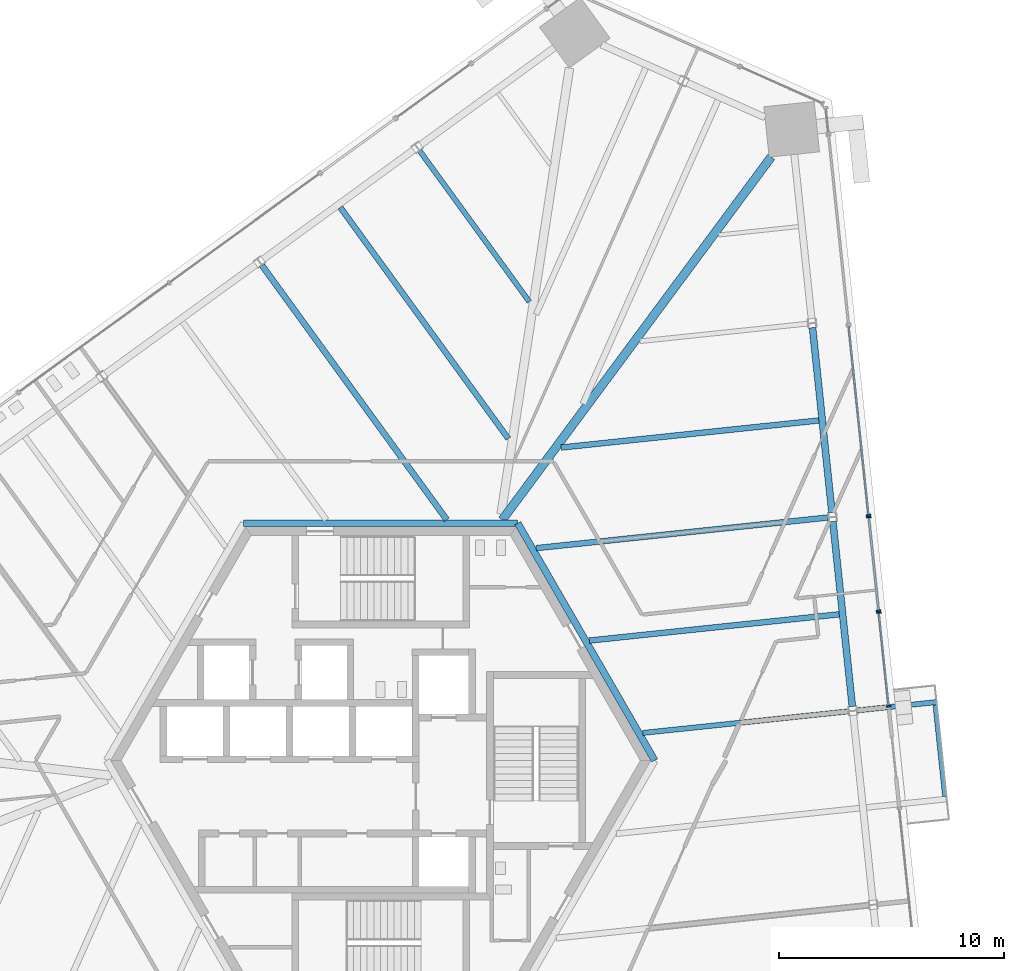
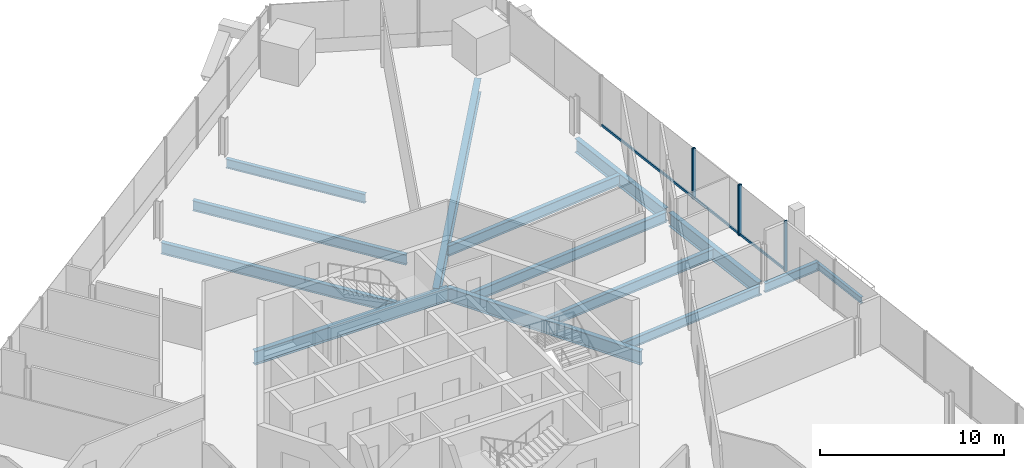
# One storey, part 8 of 25: 14 beams, 8 members, 3 elements without a shape of their own.
"""IFC4 building model written with IfcOpenShell, lengths in metres."""

from ifc_helpers import new_model, si_unit, direction, frame, origin, origin_2d, place, context, subcontext, project, spatial, rectangle, i_section, extrude, source, transform, mapped, material, material_profile, profile_set, type_object, element, aggregate, save


model = new_model("IFC4")

# Units and contexts
model_context = context("Model", 3, precision=1e-05, world=origin(), true_north=direction((0.0, 1.0)))
body_context = subcontext(model_context, "Body", "Model", "MODEL_VIEW")
ifc_project = project(units=[si_unit("LENGTHUNIT", "METRE"), si_unit("AREAUNIT", "SQUARE_METRE"), si_unit("VOLUMEUNIT", "CUBIC_METRE"), si_unit("PLANEANGLEUNIT", "RADIAN"), si_unit("MASSUNIT", "GRAM", prefix="KILO")], contexts=[model_context])

# Site, building, storey
site_placement = place(None, origin())
site = spatial("IfcSite", under=ifc_project, at=site_placement, CompositionType="ELEMENT")
building_placement = place(site_placement, origin())
building = spatial("IfcBuilding", under=site, at=building_placement, Name="Triune Harvest Tower", CompositionType="ELEMENT")
storey_placement = place(building_placement, frame((0.0, 0.0, 90.89990234375)))
storey = spatial("IfcBuildingStorey", under=building, at=storey_placement, Name="L22", CompositionType="ELEMENT", Elevation=90.89990234375)

# Curtain wall, member
ifc_material_1 = material(Name="Aluminium bronze anodised", Category="aluminium")
curtain_wall_type_1 = type_object("IfcCurtainWallType", Name="CW-6 Balcony window wall", PredefinedType="NOTDEFINED", material=ifc_material_1)
curtain_wall_1_placement = place(storey_placement, origin())
curtain_wall_1 = element("IfcCurtainWall", 1, at=curtain_wall_1_placement, inside=storey, type_object=curtain_wall_type_1, Name="CW-6 B2-F1 L22 run 2")
ifc_material_2 = material(Name="Aluminium bronze anodised", Category="aluminium")
ifc_material_profile_1 = material_profile(ifc_material_2, rectangle(XDim=0.090087890625, YDim=0.14990234375, at=origin_2d()), Name="TR-6 transom 90 x 150")
ifc_profile_set_1 = profile_set([ifc_material_profile_1], Name="Aluminium bronze anodised")
member_type_1 = type_object("IfcMemberType", Name="TR-6 transom 90 x 150", PredefinedType="USERDEFINED", material=ifc_profile_set_1)
member_1_placement = place(storey_placement, frame((22.565673828125, 2.447265625, 0.0751953125), z_axis=(-0.104552041268, 0.994519416938, 0.0), x_axis=(-0.994519416938, -0.104552041268, 0.0)))
member_1 = element("IfcMember", 2, at=member_1_placement, type_object=member_type_1, Name="CW-6 transom B2-F1 2.1", ObjectType="TRANSOM", PredefinedType="USERDEFINED", context=body_context, shape_type="SweptSolid", body=[
    extrude(rectangle(XDim=0.090087890625, YDim=0.14990234375, at=origin_2d()), origin(), (0.0, 0.0, 1.0), 4.11669921875),
])

ifc_material_3 = material(Name="Aluminium bronze anodised", Category="aluminium")
curtain_wall_type_2 = type_object("IfcCurtainWallType", Name="CW-10 Balcony window wall with insulated spandrel infill", PredefinedType="NOTDEFINED", material=ifc_material_3)
curtain_wall_2_placement = place(storey_placement, origin())
curtain_wall_2 = element("IfcCurtainWall", 3, at=curtain_wall_2_placement, inside=storey, type_object=curtain_wall_type_2, Name="CW-10 B2-F1 L22 run 1002")
member_2_placement = place(storey_placement, frame((22.11962890625, 6.690673828125, 0.0751953125), z_axis=(-0.104545875311, 0.994520065135, 0.0), x_axis=(-0.994520065135, -0.104545875311, 0.0)))
member_2 = element("IfcMember", 4, at=member_2_placement, type_object=member_type_1, Name="CW-10 transom B2-F1 1002.1", ObjectType="TRANSOM", PredefinedType="USERDEFINED", context=body_context, shape_type="SweptSolid", body=[
    extrude(rectangle(XDim=0.090087890625, YDim=0.14990234375, at=origin_2d()), origin(), (0.0, 0.0, 1.0), 4.116943359375),
])

curtain_wall_3_placement = place(storey_placement, origin())
curtain_wall_3 = element("IfcCurtainWall", 5, at=curtain_wall_3_placement, inside=storey, type_object=curtain_wall_type_1, Name="CW-6 B2-F1 L22 run 2002")
member_3_placement = place(storey_placement, frame((21.673583984375, 10.934326171875, 0.0751953125), z_axis=(-0.104542292861, 0.994520441722, 0.0), x_axis=(-0.994520441722, -0.104542292861, 0.0)))
member_3 = element("IfcMember", 6, at=member_3_placement, type_object=member_type_1, Name="CW-6 transom B2-F1 2002.1", ObjectType="TRANSOM", PredefinedType="USERDEFINED", context=body_context, shape_type="SweptSolid", body=[
    extrude(rectangle(XDim=0.090087890625, YDim=0.14990234375, at=origin_2d()), origin(), (0.0, 0.0, 1.0), 8.3837890625),
])

# Beams
ifc_material_4 = material(Name="Steel ASTM A992 Gr 50", Category="steel")
ifc_material_profile_2 = material_profile(ifc_material_4, i_section(OverallWidth=0.3046875, OverallDepth=0.914306640625, WebThickness=0.0166015625, FlangeThickness=0.02587890625, at=origin_2d()), Name="W36x160")
ifc_profile_set_2 = profile_set([ifc_material_profile_2], Name="Steel ASTM A992 Gr 50")
beam_type_1 = type_object("IfcBeamType", Name="CG-1 Core ring girder W36x160", PredefinedType="BEAM", material=ifc_profile_set_2)
shared_shape_1 = source(origin(), body_context, "Body", "SweptSolid", [
    extrude(i_section(OverallWidth=0.3046875, OverallDepth=0.914306640625, WebThickness=0.0166015625, FlangeThickness=0.02587890625, at=origin_2d()), origin(), (0.0, 0.0, 1.0), 12.176025390625),
])
beam_1_placement = place(storey_placement, frame((12.176025390625, 0.0, -0.6171875), z_axis=(-0.5000099932, 0.866019634131, 0.0), x_axis=(-0.866019634131, -0.5000099932, 0.0)))
element("IfcBeam", 7, at=beam_1_placement, inside=storey, type_object=beam_type_1, Name="beam/L22/CG1", PredefinedType="BEAM", context=body_context, shape_type="MappedRepresentation", body=[
    mapped(shared_shape_1, transform((0.0, 0.0, 0.0), scale=1.0)),
])
shared_shape_2 = source(origin(), body_context, "Body", "SweptSolid", [
    extrude(i_section(OverallWidth=0.3046875, OverallDepth=0.914306640625, WebThickness=0.0166015625, FlangeThickness=0.02587890625, at=origin_2d()), origin(), (0.0, 0.0, 1.0), 12.17578125),
])
beam_2_placement = place(storey_placement, frame((6.087890625, 10.544677734375, -0.6171875), z_axis=(-1.0, 0.0, 0.0), x_axis=(0.0, -1.0, 0.0)))
element("IfcBeam", 8, at=beam_2_placement, inside=storey, type_object=beam_type_1, Name="beam/L22/CG2", PredefinedType="BEAM", context=body_context, shape_type="MappedRepresentation", body=[
    mapped(shared_shape_2, transform((0.0, 0.0, 0.0), scale=1.0)),
])
ifc_material_5 = material(Name="Steel ASTM A992 Gr 50", Category="steel")
ifc_material_profile_3 = material_profile(ifc_material_5, i_section(OverallWidth=0.3046875, OverallDepth=0.914306640625, WebThickness=0.0166015625, FlangeThickness=0.02587890625, at=origin_2d()), Name="W36x160")
ifc_profile_set_3 = profile_set([ifc_material_profile_3], Name="Steel ASTM A992 Gr 50")
beam_type_2 = type_object("IfcBeamType", Name="SB-1 Spandrel beam W36x160", PredefinedType="SPANDREL", material=ifc_profile_set_3)
shared_shape_3 = source(origin(), body_context, "Body", "SweptSolid", [
    extrude(i_section(OverallWidth=0.3046875, OverallDepth=0.914306640625, WebThickness=0.0166015625, FlangeThickness=0.02587890625, at=origin_2d()), origin(), (0.0, 0.0, 1.0), 8.263427734375),
])
for number, where, z_axis, x_axis, name in (
    (9, (20.956298828125, 2.403076171875, -0.6171875), (-0.104560208485, 0.994518558299, 0.0), (-0.994518558299, -0.104560208485, 0.0), "beam/L22/SB4"),
    (10, (20.05078125, 11.017822265625, -0.6171875), (-0.104527914852, 0.994521953009, 0.0), (-0.994521953009, -0.104527914852, 0.0), "beam/L22/SB5"),
):
    element("IfcBeam", number, at=place(storey_placement, frame(where, z_axis=z_axis, x_axis=x_axis)), inside=storey, type_object=beam_type_2, Name=name, PredefinedType="SPANDREL", context=body_context, shape_type="MappedRepresentation", body=[
        mapped(shared_shape_3, transform((0.0, 0.0, 0.0), scale=1.0)),
    ])
ifc_material_6 = material(Name="Steel ASTM A992 Gr 50", Category="steel")
ifc_material_profile_4 = material_profile(ifc_material_6, i_section(OverallWidth=0.383544921875, OverallDepth=0.9423828125, WebThickness=0.022216796875, FlangeThickness=0.039794921875, at=origin_2d()), Name="W36x232")
ifc_profile_set_4 = profile_set([ifc_material_profile_4], Name="Steel ASTM A992 Gr 50")
beam_type_3 = type_object("IfcBeamType", Name="HG-1 Hip girder W36x232", PredefinedType="BEAM", material=ifc_profile_set_4)
shared_shape_4 = source(origin(), body_context, "Body", "SweptSolid", [
    extrude(i_section(OverallWidth=0.383544921875, OverallDepth=0.9423828125, WebThickness=0.022216796875, FlangeThickness=0.039794921875, at=origin_2d()), origin(), (0.0, 0.0, 1.0), 20.071044921875),
])
beam_3_placement = place(storey_placement, frame((17.3515625, 26.822265625, -0.631103515625), z_axis=(-0.595422435489, -0.803412797581, 0.0), x_axis=(0.803412797581, -0.595422435489, 0.0)))
element("IfcBeam", 11, at=beam_3_placement, inside=storey, type_object=beam_type_3, Name="beam/L22/HG3", PredefinedType="BEAM", context=body_context, shape_type="MappedRepresentation", body=[
    mapped(shared_shape_4, transform((0.0, 0.0, 0.0), scale=1.0)),
])
ifc_material_7 = material(Name="Steel ASTM A992 Gr 50", Category="steel")
ifc_material_profile_5 = material_profile(ifc_material_7, i_section(OverallWidth=0.22900390625, OverallDepth=0.612060546875, WebThickness=0.011962890625, FlangeThickness=0.01953125, at=origin_2d()), Name="W24x84")
ifc_profile_set_5 = profile_set([ifc_material_profile_5], Name="Steel ASTM A992 Gr 50")
beam_type_4 = type_object("IfcBeamType", Name="JT-3 Floor joist W24x84", PredefinedType="JOIST", material=ifc_profile_set_5)
shared_shape_5 = source(origin(), body_context, "Body", "SweptSolid", [
    extrude(i_section(OverallWidth=0.22900390625, OverallDepth=0.612060546875, WebThickness=0.011962890625, FlangeThickness=0.01953125, at=origin_2d()), origin(), (0.0, 0.0, 1.0), 8.28173828125),
])
beam_4_placement = place(storey_placement, frame((1.733642578125, 27.087890625, -0.466064453125), z_axis=(0.587794772324, -0.809010077581, 0.0), x_axis=(0.809010077581, 0.587794772324, 0.0)))
element("IfcBeam", 12, at=beam_4_placement, inside=storey, type_object=beam_type_4, Name="beam/L22/JT15", PredefinedType="JOIST", context=body_context, shape_type="MappedRepresentation", body=[
    mapped(shared_shape_5, transform((0.0, 0.0, 0.0), scale=1.0)),
])
shared_shape_6 = source(origin(), body_context, "Body", "SweptSolid", [
    extrude(i_section(OverallWidth=0.22900390625, OverallDepth=0.612060546875, WebThickness=0.011962890625, FlangeThickness=0.01953125, at=origin_2d()), origin(), (0.0, 0.0, 1.0), 9.186279296875),
])
beam_5_placement = place(storey_placement, frame((20.78125, 2.18408203125, -0.466064453125), z_axis=(-0.99452494946, -0.10449940144, 0.0), x_axis=(0.10449940144, -0.99452494946, 0.0)))
element("IfcBeam", 13, at=beam_5_placement, inside=storey, type_object=beam_type_4, Name="beam/L22/JT6", PredefinedType="JOIST", context=body_context, shape_type="MappedRepresentation", body=[
    mapped(shared_shape_6, transform((0.0, 0.0, 0.0), scale=1.0)),
])
ifc_material_8 = material(Name="Steel ASTM A992 Gr 50", Category="steel")
ifc_material_profile_6 = material_profile(ifc_material_8, i_section(OverallWidth=0.253662109375, OverallDepth=0.683349609375, WebThickness=0.012451171875, FlangeThickness=0.01904296875, at=origin_2d()), Name="W27x94")
ifc_profile_set_6 = profile_set([ifc_material_profile_6], Name="Steel ASTM A992 Gr 50")
beam_type_5 = type_object("IfcBeamType", Name="JT-4 Floor joist W27x94", PredefinedType="JOIST", material=ifc_profile_set_6)
shared_shape_7 = source(origin(), body_context, "Body", "SweptSolid", [
    extrude(i_section(OverallWidth=0.253662109375, OverallDepth=0.683349609375, WebThickness=0.012451171875, FlangeThickness=0.01904296875, at=origin_2d()), origin(), (0.0, 0.0, 1.0), 11.158935546875),
])
beam_6_placement = place(storey_placement, frame((20.372802734375, 6.49609375, -0.50146484375), z_axis=(-0.994523540129, -0.104512813234, 0.0), x_axis=(0.104512813234, -0.994523540129, 0.0)))
element("IfcBeam", 14, at=beam_6_placement, inside=storey, type_object=beam_type_5, Name="beam/L22/JT7", PredefinedType="JOIST", context=body_context, shape_type="MappedRepresentation", body=[
    mapped(shared_shape_7, transform((0.0, 0.0, 0.0), scale=1.0)),
])
shared_shape_8 = source(origin(), body_context, "Body", "SweptSolid", [
    extrude(i_section(OverallWidth=0.253662109375, OverallDepth=0.683349609375, WebThickness=0.012451171875, FlangeThickness=0.01904296875, at=origin_2d()), origin(), (0.0, 0.0, 1.0), 13.04296875),
])
beam_7_placement = place(storey_placement, frame((19.875732421875, 10.799072265625, -0.50146484375), z_axis=(-0.99452051979, -0.104541550188, 0.0), x_axis=(0.104541550188, -0.99452051979, 0.0)))
element("IfcBeam", 15, at=beam_7_placement, inside=storey, type_object=beam_type_5, Name="beam/L22/JT8", PredefinedType="JOIST", context=body_context, shape_type="MappedRepresentation", body=[
    mapped(shared_shape_8, transform((0.0, 0.0, 0.0), scale=1.0)),
])
shared_shape_9 = source(origin(), body_context, "Body", "SweptSolid", [
    extrude(i_section(OverallWidth=0.253662109375, OverallDepth=0.683349609375, WebThickness=0.012451171875, FlangeThickness=0.01904296875, at=origin_2d()), origin(), (0.0, 0.0, 1.0), 11.51123046875),
])
beam_8_placement = place(storey_placement, frame((19.46728515625, 15.111083984375, -0.50146484375), z_axis=(-0.994520898324, -0.104537949071, 0.0), x_axis=(0.104537949071, -0.994520898324, 0.0)))
element("IfcBeam", 16, at=beam_8_placement, inside=storey, type_object=beam_type_5, Name="beam/L22/JT9", PredefinedType="JOIST", context=body_context, shape_type="MappedRepresentation", body=[
    mapped(shared_shape_9, transform((0.0, 0.0, 0.0), scale=1.0)),
])
shared_shape_10 = source(origin(), body_context, "Body", "SweptSolid", [
    extrude(i_section(OverallWidth=0.253662109375, OverallDepth=0.683349609375, WebThickness=0.012451171875, FlangeThickness=0.01904296875, at=origin_2d()), origin(), (0.0, 0.0, 1.0), 12.701904296875),
])
beam_9_placement = place(storey_placement, frame((-1.79638671875, 24.578369140625, -0.50146484375), z_axis=(0.587773910587, -0.809025234485, 0.0), x_axis=(0.809025234485, 0.587773910587, 0.0)))
element("IfcBeam", 17, at=beam_9_placement, inside=storey, type_object=beam_type_5, Name="beam/L22/JT16", PredefinedType="JOIST", context=body_context, shape_type="MappedRepresentation", body=[
    mapped(shared_shape_10, transform((0.0, 0.0, 0.0), scale=1.0)),
])
ifc_material_9 = material(Name="Steel ASTM A992 Gr 50", Category="steel")
ifc_material_profile_7 = material_profile(ifc_material_9, i_section(OverallWidth=0.2666015625, OverallDepth=0.7568359375, WebThickness=0.013916015625, FlangeThickness=0.019287109375, at=origin_2d()), Name="W30x108")
ifc_profile_set_7 = profile_set([ifc_material_profile_7], Name="Steel ASTM A992 Gr 50")
beam_type_6 = type_object("IfcBeamType", Name="JT-5 Floor joist W30x108", PredefinedType="JOIST", material=ifc_profile_set_7)
shared_shape_11 = source(origin(), body_context, "Body", "SweptSolid", [
    extrude(i_section(OverallWidth=0.2666015625, OverallDepth=0.7568359375, WebThickness=0.013916015625, FlangeThickness=0.019287109375, at=origin_2d()), origin(), (0.0, 0.0, 1.0), 13.967041015625),
])
beam_10_placement = place(storey_placement, frame((-5.2744140625, 21.99658203125, -0.538330078125), z_axis=(0.587790196646, -0.809013402069, 0.0), x_axis=(0.809013402069, 0.587790196646, 0.0)))
element("IfcBeam", 18, at=beam_10_placement, inside=storey, type_object=beam_type_6, Name="beam/L22/JT17", PredefinedType="JOIST", context=body_context, shape_type="MappedRepresentation", body=[
    mapped(shared_shape_11, transform((0.0, 0.0, 0.0), scale=1.0)),
])
ifc_material_10 = material(Name="Steel ASTM A992 Gr 50", Category="steel")
ifc_material_profile_8 = material_profile(ifc_material_10, i_section(OverallWidth=0.22900390625, OverallDepth=0.612060546875, WebThickness=0.011962890625, FlangeThickness=0.01953125, at=origin_2d()), Name="W24x84")
ifc_profile_set_8 = profile_set([ifc_material_profile_8], Name="Steel ASTM A992 Gr 50")
beam_type_7 = type_object("IfcBeamType", Name="BJ-3 Balcony cantilever joist W24x84", PredefinedType="JOIST", material=ifc_profile_set_8)
shared_shape_12 = source(origin(), body_context, "Body", "SweptSolid", [
    extrude(i_section(OverallWidth=0.22900390625, OverallDepth=0.612060546875, WebThickness=0.011962890625, FlangeThickness=0.01953125, at=origin_2d()), origin(), (0.0, 0.0, 1.0), 3.59765625),
])
beam_11_placement = place(storey_placement, frame((21.12841796875, 2.220703125, -0.466064453125), z_axis=(0.994524029685, 0.104508154604, 0.0), x_axis=(-0.104508154604, 0.994524029685, 0.0)))
element("IfcBeam", 19, at=beam_11_placement, inside=storey, type_object=beam_type_7, Name="Balcony cantilever joist B2-F1 L22.6b", PredefinedType="JOIST", context=body_context, shape_type="MappedRepresentation", body=[
    mapped(shared_shape_12, transform((0.0, 0.0, 0.0), scale=1.0)),
])
ifc_material_11 = material(Name="Steel ASTM A992 Gr 50", Category="steel")
ifc_material_profile_9 = material_profile(ifc_material_11, i_section(OverallWidth=0.180908203125, OverallDepth=0.41650390625, WebThickness=0.010986328125, FlangeThickness=0.01806640625, at=origin_2d()), Name="W16x57")
ifc_profile_set_9 = profile_set([ifc_material_profile_9], Name="Steel ASTM A992 Gr 50")
beam_type_8 = type_object("IfcBeamType", Name="BE-1 balcony edge beam W16x57", PredefinedType="BEAM", material=ifc_profile_set_9)
shared_shape_13 = source(origin(), body_context, "Body", "SweptSolid", [
    extrude(i_section(OverallWidth=0.180908203125, OverallDepth=0.41650390625, WebThickness=0.010986328125, FlangeThickness=0.01806640625, at=origin_2d()), origin(), (0.0, 0.0, 1.0), 4.08984375),
])
beam_12_placement = place(storey_placement, frame((24.62841796875, 2.473388671875, -0.3681640625), z_axis=(0.104526304685, -0.994522122242, 0.0), x_axis=(0.994522122242, 0.104526304685, 0.0)))
element("IfcBeam", 20, at=beam_12_placement, inside=storey, type_object=beam_type_8, Name="Balcony edge beam B2-F1 L22.6", PredefinedType="BEAM", context=body_context, shape_type="MappedRepresentation", body=[
    mapped(shared_shape_13, transform((0.0, 0.0, 0.0), scale=1.0)),
])

# Member
ifc_material_12 = material(Name="Aluminium bronze anodised", Category="aluminium")
ifc_material_profile_10 = material_profile(ifc_material_12, rectangle(XDim=0.199951171875, YDim=0.074951171875, at=origin_2d()), Name="MU-6 mullion 75 x 200")
ifc_profile_set_10 = profile_set([ifc_material_profile_10], Name="Aluminium bronze anodised")
member_type_2 = type_object("IfcMemberType", Name="MU-6 mullion 75 x 200", PredefinedType="MULLION", material=ifc_profile_set_10)
shared_shape_14 = source(origin(), body_context, "Body", "SweptSolid", [
    extrude(rectangle(XDim=0.199951171875, YDim=0.074951171875, at=origin_2d()), origin(), (0.0, 0.0, 1.0), 3.35009765625),
])
member_4_placement = place(storey_placement, frame((22.569580078125, 2.409912109375, 0.0), z_axis=(0.0, 0.0, 1.0), x_axis=(-0.994522390722, -0.104523750187, 0.0)))
member_4 = element("IfcMember", 21, at=member_4_placement, type_object=member_type_2, Name="CW-6 mullion B2-F1 2.1", PredefinedType="MULLION", context=body_context, shape_type="MappedRepresentation", body=[
    mapped(shared_shape_14, transform((0.0, 0.0, 0.0), scale=1.0)),
])

member_5_placement = place(storey_placement, frame((22.13134765625, 6.578857421875, 0.0), z_axis=(0.0, 0.0, 1.0), x_axis=(-0.994522390722, -0.104523750187, 0.0)))
member_5 = element("IfcMember", 22, at=member_5_placement, type_object=member_type_2, Name="CW-6 mullion B2-F1 2.2", PredefinedType="MULLION", context=body_context, shape_type="MappedRepresentation", body=[
    mapped(shared_shape_14, transform((0.0, 0.0, 0.0), scale=1.0)),
])

aggregate(curtain_wall_1, [member_4, member_5, member_1])

member_6_placement = place(storey_placement, frame((22.12353515625, 6.653564453125, 0.0), z_axis=(0.0, 0.0, 1.0), x_axis=(-0.994522134671, -0.104526186426, 0.0)))
member_6 = element("IfcMember", 23, at=member_6_placement, type_object=member_type_2, Name="CW-10 mullion B2-F1 1002.1", PredefinedType="MULLION", context=body_context, shape_type="MappedRepresentation", body=[
    mapped(shared_shape_14, transform((0.0, 0.0, 0.0), scale=1.0)),
])

member_7_placement = place(storey_placement, frame((21.685302734375, 10.822509765625, 0.0), z_axis=(0.0, 0.0, 1.0), x_axis=(-0.994522134671, -0.104526186426, 0.0)))
member_7 = element("IfcMember", 24, at=member_7_placement, type_object=member_type_2, Name="CW-10 mullion B2-F1 1002.2", PredefinedType="MULLION", context=body_context, shape_type="MappedRepresentation", body=[
    mapped(shared_shape_14, transform((0.0, 0.0, 0.0), scale=1.0)),
])

aggregate(curtain_wall_2, [member_6, member_7, member_2])

member_8_placement = place(storey_placement, frame((21.677490234375, 10.89697265625, 0.0), z_axis=(0.0, 0.0, 1.0), x_axis=(-0.994521172565, -0.104535340049, 0.0)))
member_8 = element("IfcMember", 25, at=member_8_placement, type_object=member_type_2, Name="CW-6 mullion B2-F1 2002.1", PredefinedType="MULLION", context=body_context, shape_type="MappedRepresentation", body=[
    mapped(shared_shape_14, transform((0.0, 0.0, 0.0), scale=1.0)),
])

aggregate(curtain_wall_3, [member_8, member_3])

save(model, "model.ifc")
